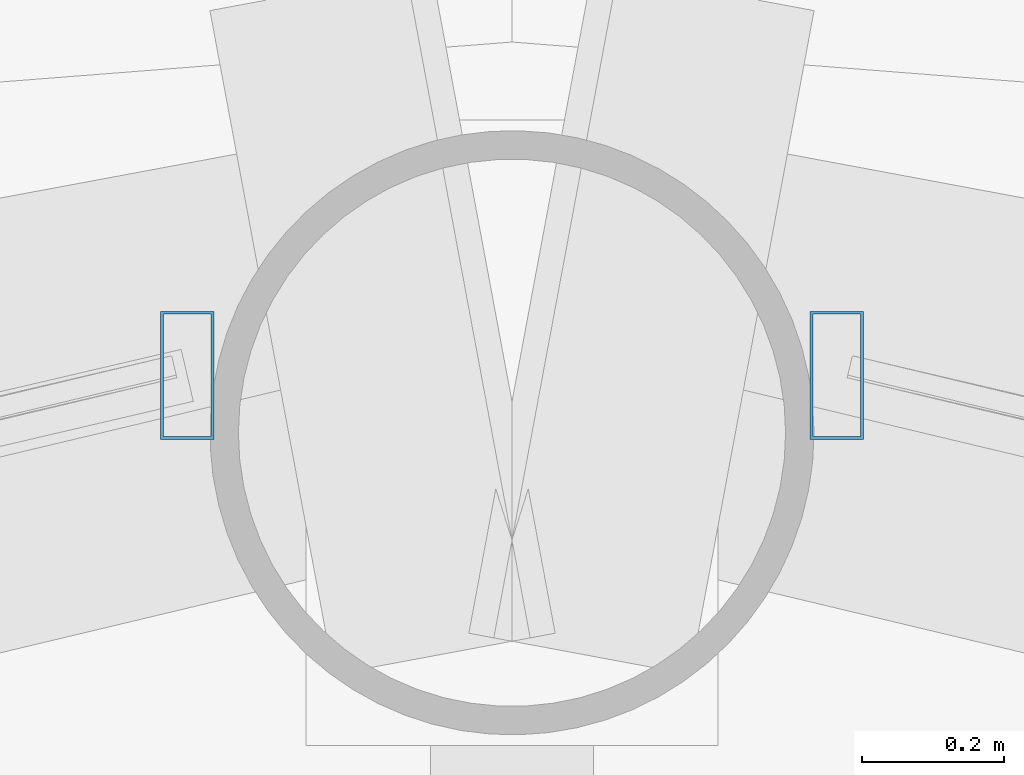
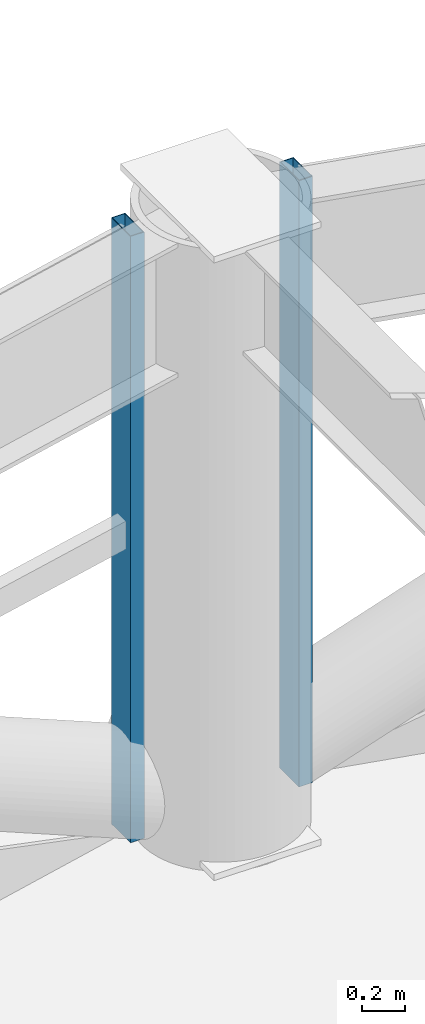
# One storey, part 18 of 30: 2 members, 2 elements without a shape of their own.
"""IFC4 building model written with IfcOpenShell, lengths in metres."""

import ifcopenshell
import ifcopenshell.guid

model = None  # the IFC model being written
_history = None  # IfcOwnerHistory: only IFC2X3 demands one
_inside = {}  # id of a spatial element -> (the spatial element, [elements in it])
_under = {}  # id of a project, library or spatial element -> (it, [spatial elements below it])
_declared = {}  # id of a project -> (the project, [libraries it declares])
_typed = {}  # id of a type object -> (the type object, [elements of that type])
_made_of = {}  # id of a material, layer set ... -> (it, [elements and type objects made of it])


def new_model(schema):
    """Start an empty IFC model of exactly this schema.

    Asked for "IFC4X3", IfcOpenShell would pick the latest addendum, in which some entities
    have other attributes; the version numbers below select the first issue.
    IFC2X3 requires an IfcOwnerHistory on every rooted entity: one is made here for all.
    """
    global model, _history
    if schema == "IFC4X3":
        model = ifcopenshell.file(schema_version=(4, 3, 0, 0))
    else:
        model = ifcopenshell.file(schema=schema)
    _inside.clear()
    _under.clear()
    _declared.clear()
    _typed.clear()
    _made_of.clear()
    _history = None
    if model.schema == "IFC2X3":
        org = make("IfcOrganization", Name="unknown")
        user = make(
            "IfcPersonAndOrganization",
            ThePerson=make("IfcPerson", FamilyName="unknown"),
            TheOrganization=org,
        )
        app = make(
            "IfcApplication",
            ApplicationDeveloper=org,
            Version="unknown",
            ApplicationFullName="unknown",
            ApplicationIdentifier="unknown",
        )
        _history = make(
            "IfcOwnerHistory",
            OwningUser=user,
            OwningApplication=app,
            ChangeAction="ADDED",
            CreationDate=0,
        )
    return model


def make(cls, **values):
    """One entity of the class cls with the attributes given. An attribute that is None is left unset."""
    return model.create_entity(
        cls, **{name: value for name, value in values.items() if value is not None}
    )


def rooted(cls, **values):
    """An entity with a GlobalId (a new one), such as an element, a storey or a relation."""
    return make(cls, GlobalId=ifcopenshell.guid.new(), OwnerHistory=_history, **values)


def si_unit(unit_type, name, prefix=None):
    """IfcSIUnit, for example si_unit("LENGTHUNIT", "METRE", prefix="MILLI")."""
    return make("IfcSIUnit", UnitType=unit_type, Prefix=prefix, Name=name)


def assignment(units):
    """IfcUnitAssignment: the units of a project."""
    return None if units is None else make("IfcUnitAssignment", Units=units)


def point(xyz):
    """IfcCartesianPoint."""
    return None if xyz is None else make("IfcCartesianPoint", Coordinates=xyz)


def direction(xyz):
    """IfcDirection."""
    return None if xyz is None else make("IfcDirection", DirectionRatios=xyz)


def frame(location, z_axis=None, x_axis=None):
    """IfcAxis2Placement3D, a coordinate frame: its origin and axes. An axis left out is left unset."""
    return make(
        "IfcAxis2Placement3D",
        Location=point(location),
        Axis=direction(z_axis),
        RefDirection=direction(x_axis),
    )


def frame_2d(location, x_axis=None):
    """IfcAxis2Placement2D, a coordinate frame in the plane: its origin and x axis."""
    return make(
        "IfcAxis2Placement2D", Location=point(location), RefDirection=direction(x_axis)
    )


def origin():
    """The frame at (0, 0, 0) with its axes left unset."""
    return frame((0.0, 0.0, 0.0))


def origin_2d():
    """The frame at (0, 0) in the plane with its x axis left unset."""
    return frame_2d((0.0, 0.0))


def place(relative_to, where):
    """IfcLocalPlacement: puts the frame where relative to a parent placement (None: the world)."""
    return make(
        "IfcLocalPlacement", PlacementRelTo=relative_to, RelativePlacement=where
    )


def context(
    kind, dimensions, precision=None, world=None, true_north=None, identifier=None
):
    """IfcGeometricRepresentationContext, for example the 3D "Model" context."""
    return make(
        "IfcGeometricRepresentationContext",
        ContextIdentifier=identifier,
        ContextType=kind,
        CoordinateSpaceDimension=dimensions,
        Precision=precision,
        WorldCoordinateSystem=world,
        TrueNorth=true_north,
    )


def subcontext(parent, identifier, kind, view, scale=None):
    """IfcGeometricRepresentationSubContext, for example "Body" below "Model"."""
    return make(
        "IfcGeometricRepresentationSubContext",
        ContextIdentifier=identifier,
        ContextType=kind,
        ParentContext=parent,
        TargetScale=scale,
        TargetView=view,
    )


def project(units=None, contexts=None):
    """IfcProject with its units and contexts."""
    return rooted(
        "IfcProject",
        Name="project",
        RepresentationContexts=contexts,
        UnitsInContext=assignment(units),
    )


def spatial(cls, under=None, at=None, **own):
    """A site, building, storey or space (cls), placed at a placement, below another one or the project."""
    s = rooted(cls, ObjectPlacement=at, **own)
    if under is not None:
        _under.setdefault(under.id(), (under, []))[1].append(s)
    return s


def profile(cls, at=None, kind="AREA", **sizes):
    """A parametric profile (cls). Its sizes go by their IFC names, for example OverallWidth=200.0."""
    return make(cls, ProfileType=kind, Position=at, **sizes)


def hollow_rectangle(**sizes):
    """IfcRectangleHollowProfileDef."""
    return profile("IfcRectangleHollowProfileDef", **sizes)


def extrude(swept, where, along, depth):
    """IfcExtrudedAreaSolid: the profile swept, set in the frame where, extruded along a direction by depth."""
    return make(
        "IfcExtrudedAreaSolid",
        SweptArea=swept,
        Position=where,
        ExtrudedDirection=direction(along),
        Depth=depth,
    )


def shape(context_of_items, identifier, shape_type, items):
    """IfcShapeRepresentation: the items that make up one representation, for example the "Body"."""
    return make(
        "IfcShapeRepresentation",
        ContextOfItems=context_of_items,
        RepresentationIdentifier=identifier,
        RepresentationType=shape_type,
        Items=items,
    )


def material(Name=None, Category=None):
    """IfcMaterial."""
    return make("IfcMaterial", Name=Name, Category=Category)


def layer(
    of_material, thickness, ventilated=None, Name=None, Category=None, Priority=None
):
    """IfcMaterialLayer: one layer of a wall or slab, of a material (None: an air gap)."""
    return make(
        "IfcMaterialLayer",
        Material=of_material,
        LayerThickness=thickness,
        IsVentilated=ventilated,
        Name=Name,
        Category=Category,
        Priority=Priority,
    )


def layer_set(layers, Name=None):
    """IfcMaterialLayerSet."""
    return make("IfcMaterialLayerSet", MaterialLayers=layers, LayerSetName=Name)


def material_profile(
    of_material, cross_section, Name=None, Category=None, Priority=None
):
    """IfcMaterialProfile: a cross section and its material."""
    return make(
        "IfcMaterialProfile",
        Name=Name,
        Material=of_material,
        Profile=cross_section,
        Priority=Priority,
        Category=Category,
    )


def profile_set(profiles, Name=None, composite=None):
    """IfcMaterialProfileSet."""
    return make(
        "IfcMaterialProfileSet",
        Name=Name,
        MaterialProfiles=profiles,
        CompositeProfile=composite,
    )


def made_of(thing, what):
    """Note that an element or type object is made of a material, layer set ...; save() writes the relation."""
    if what is not None:
        _made_of.setdefault(what.id(), (what, []))[1].append(thing)
    return thing


def type_object(cls, material=None, **own):
    """A type object (cls), such as IfcWallType, which elements share."""
    return made_of(rooted(cls, **own), material)


def element(
    cls,
    number,
    at=None,
    inside=None,
    cuts=None,
    type_object=None,
    material=None,
    context=None,
    identifier="Body",
    shape_type=None,
    held_by="IfcProductDefinitionShape",
    body=None,
    shapes=None,
    **own,
):
    """One element of the class cls, such as IfcWall. Its Tag is "e" and its number.

    at: its placement. inside: the storey or other place that contains it. cuts: it is an
    opening in that element (IfcRelVoidsElement). A single representation is given by context,
    identifier, shape_type and body (its items); several are given by shapes. held_by: the class
    of the entity that holds the representations. save() writes the other relations.
    """
    e = rooted(cls, Tag="e%d" % number, ObjectPlacement=at, **own)
    if body is not None:
        shapes = [shape(context, identifier, shape_type, body)]
    if shapes is not None:
        e.Representation = make(held_by, Representations=shapes)
    if inside is not None:
        _inside.setdefault(inside.id(), (inside, []))[1].append(e)
    if cuts is not None:
        rooted(
            "IfcRelVoidsElement", RelatingBuildingElement=cuts, RelatedOpeningElement=e
        )
    if type_object is not None:
        _typed.setdefault(type_object.id(), (type_object, []))[1].append(e)
    return made_of(e, material)


def aggregate(whole, parts):
    """IfcRelAggregates: a whole, such as a stair, and the parts it consists of."""
    return rooted("IfcRelAggregates", RelatingObject=whole, RelatedObjects=parts)


def save(model, path):
    """Write the relations noted so far, then the file.

    IfcRelAggregates (storeys below a building ...), IfcRelContainedInSpatialStructure (elements
    in a storey), IfcRelDefinesByType, IfcRelAssociatesMaterial and IfcRelDeclares: one each for
    every whole, place, type object, material and project.
    """
    for whole, parts in _under.values():
        aggregate(whole, parts)
    for where, things in _inside.values():
        rooted(
            "IfcRelContainedInSpatialStructure",
            RelatedElements=things,
            RelatingStructure=where,
        )
    for kind, things in _typed.values():
        rooted("IfcRelDefinesByType", RelatedObjects=things, RelatingType=kind)
    for what, things in _made_of.values():
        rooted("IfcRelAssociatesMaterial", RelatedObjects=things, RelatingMaterial=what)
    for by, libraries in _declared.values():
        rooted("IfcRelDeclares", RelatingContext=by, RelatedDefinitions=libraries)
    model.write(path)


model = new_model("IFC4")

# Units and contexts
model_context = context("Model", 3, precision=1e-05, world=origin(), true_north=direction((0.0, 1.0)))
body_context = subcontext(model_context, "Body", "Model", "MODEL_VIEW")
ifc_project = project(units=[si_unit("LENGTHUNIT", "METRE"), si_unit("AREAUNIT", "SQUARE_METRE"), si_unit("VOLUMEUNIT", "CUBIC_METRE"), si_unit("PLANEANGLEUNIT", "RADIAN"), si_unit("MASSUNIT", "GRAM", prefix="KILO")], contexts=[model_context])

# Site, building, storey
site_placement = place(None, origin())
site = spatial("IfcSite", under=ifc_project, at=site_placement, CompositionType="ELEMENT")
building_placement = place(site_placement, origin())
building = spatial("IfcBuilding", under=site, at=building_placement, Name="Vantalir Tower", CompositionType="ELEMENT")
storey_placement = place(building_placement, frame((0.0, 0.0, 49.5)))
storey = spatial("IfcBuildingStorey", under=building, at=storey_placement, Name="L11", CompositionType="ELEMENT", Elevation=49.5)

# Curtain wall, member
ifc_material_1 = material(Name="Champagne-silver PVDF aluminium and double-silver Low-E glass", Category="aluminium")
ifc_layer = layer(ifc_material_1, 0.18994140625)
ifc_layer_set = layer_set([ifc_layer], Name="Champagne-silver PVDF aluminium and double-silver Low-E glass")
curtain_wall_type = type_object("IfcCurtainWallType", Name="CW-DIAMOND-Z1", PredefinedType="USERDEFINED", material=ifc_layer_set)
curtain_wall_1_placement = place(storey_placement, origin())
curtain_wall_1 = element("IfcCurtainWall", 1, at=curtain_wall_1_placement, inside=storey, type_object=curtain_wall_type, Name="L11 Quilted Pyramid-Diamond Curtain Wall S03", ObjectType="UNITISED CURTAIN WALL", PredefinedType="USERDEFINED")
ifc_material_2 = material(Name="Champagne-silver PVDF aluminium 6063-T6", Category="aluminium")
ifc_material_profile = material_profile(ifc_material_2, hollow_rectangle(XDim=0.074951171875, YDim=0.179931640625, WallThickness=0.00390625, at=origin_2d()), Name="Champagne-silver PVDF aluminium 6063-T6")
ifc_profile_set = profile_set([ifc_material_profile], Name="Champagne-silver PVDF aluminium 6063-T6")
member_type = type_object("IfcMemberType", Name="CWM-180x75", PredefinedType="MULLION", material=ifc_profile_set)
member_1_placement = place(storey_placement, frame((31.95703125, 48.806884765625, 0.044921875), z_axis=(0.0, 0.0, 1.0), x_axis=(1.0, 0.0, 0.0)))
member_1 = element("IfcMember", 2, at=member_1_placement, type_object=member_type, Name="CW-L11-S03 Mullion 2", PredefinedType="MULLION", context=body_context, shape_type="SweptSolid", body=[
    extrude(hollow_rectangle(XDim=0.074951171875, YDim=0.179931640625, WallThickness=0.00390625, at=origin_2d()), origin(), (0.0, 0.0, 1.0), 3.47998046875),
])
aggregate(curtain_wall_1, [member_1])

curtain_wall_2_placement = place(storey_placement, origin())
curtain_wall_2 = element("IfcCurtainWall", 3, at=curtain_wall_2_placement, inside=storey, type_object=curtain_wall_type, Name="L11 Quilted Pyramid-Diamond Curtain Wall S04", ObjectType="UNITISED CURTAIN WALL", PredefinedType="USERDEFINED")
member_2_placement = place(storey_placement, frame((31.04296875, 48.806884765625, 0.044921875), z_axis=(0.0, 0.0, 1.0), x_axis=(1.0, 0.0, 0.0)))
member_2 = element("IfcMember", 4, at=member_2_placement, type_object=member_type, Name="CW-L11-S04 Mullion 1", PredefinedType="MULLION", context=body_context, shape_type="SweptSolid", body=[
    extrude(hollow_rectangle(XDim=0.074951171875, YDim=0.179931640625, WallThickness=0.00390625, at=origin_2d()), origin(), (0.0, 0.0, 1.0), 3.47998046875),
])
aggregate(curtain_wall_2, [member_2])

save(model, "model.ifc")
